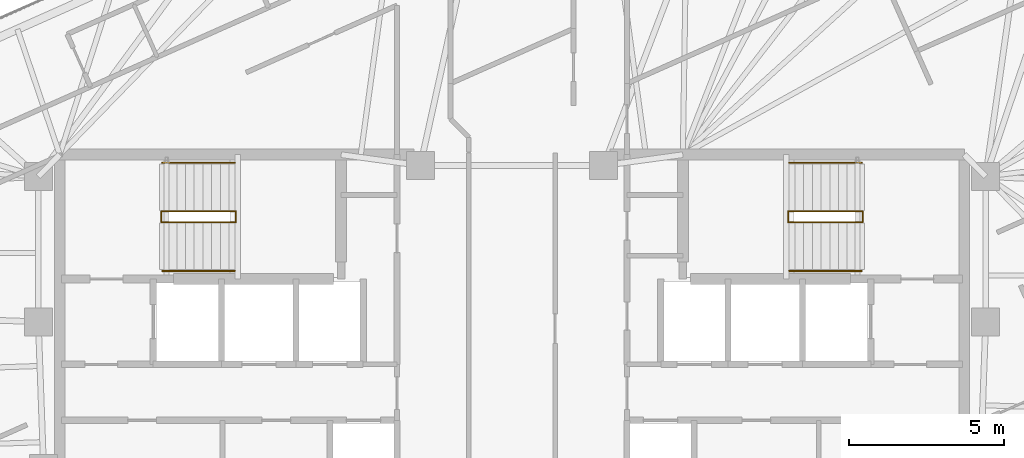
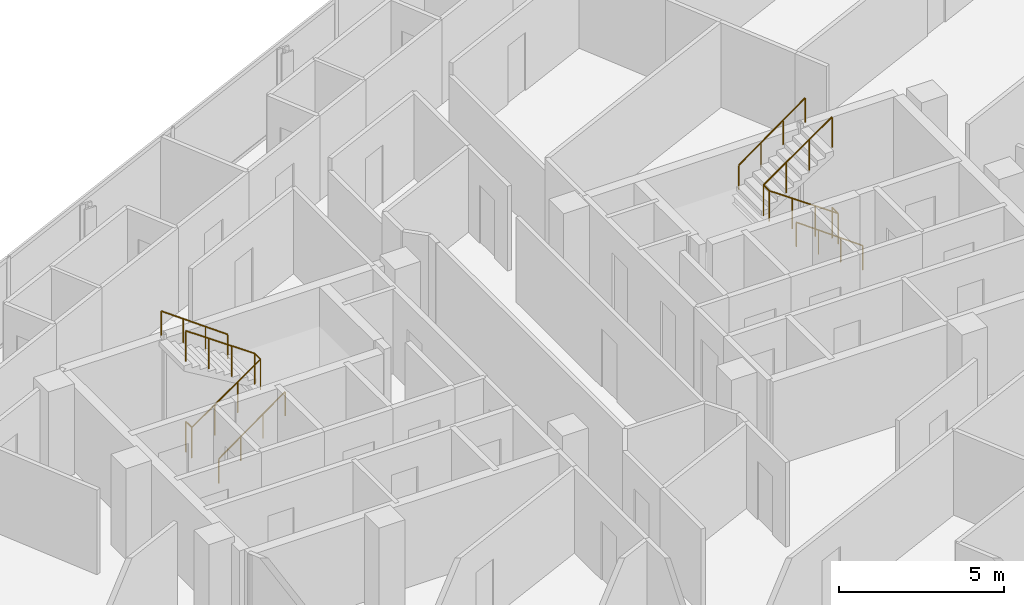
# One storey, part 19 of 19: 6 railings.
"""IFC4 building model written with IfcOpenShell, lengths in metres."""

import ifcopenshell
import ifcopenshell.guid

model = None  # the IFC model being written
_history = None  # IfcOwnerHistory: only IFC2X3 demands one
_inside = {}  # id of a spatial element -> (the spatial element, [elements in it])
_under = {}  # id of a project, library or spatial element -> (it, [spatial elements below it])
_declared = {}  # id of a project -> (the project, [libraries it declares])
_typed = {}  # id of a type object -> (the type object, [elements of that type])
_made_of = {}  # id of a material, layer set ... -> (it, [elements and type objects made of it])


def new_model(schema):
    """Start an empty IFC model of exactly this schema.

    Asked for "IFC4X3", IfcOpenShell would pick the latest addendum, in which some entities
    have other attributes; the version numbers below select the first issue.
    IFC2X3 requires an IfcOwnerHistory on every rooted entity: one is made here for all.
    """
    global model, _history
    if schema == "IFC4X3":
        model = ifcopenshell.file(schema_version=(4, 3, 0, 0))
    else:
        model = ifcopenshell.file(schema=schema)
    _inside.clear()
    _under.clear()
    _declared.clear()
    _typed.clear()
    _made_of.clear()
    _history = None
    if model.schema == "IFC2X3":
        org = make("IfcOrganization", Name="unknown")
        user = make(
            "IfcPersonAndOrganization",
            ThePerson=make("IfcPerson", FamilyName="unknown"),
            TheOrganization=org,
        )
        app = make(
            "IfcApplication",
            ApplicationDeveloper=org,
            Version="unknown",
            ApplicationFullName="unknown",
            ApplicationIdentifier="unknown",
        )
        _history = make(
            "IfcOwnerHistory",
            OwningUser=user,
            OwningApplication=app,
            ChangeAction="ADDED",
            CreationDate=0,
        )
    return model


def make(cls, **values):
    """One entity of the class cls with the attributes given. An attribute that is None is left unset."""
    return model.create_entity(
        cls, **{name: value for name, value in values.items() if value is not None}
    )


def rooted(cls, **values):
    """An entity with a GlobalId (a new one), such as an element, a storey or a relation."""
    return make(cls, GlobalId=ifcopenshell.guid.new(), OwnerHistory=_history, **values)


def si_unit(unit_type, name, prefix=None):
    """IfcSIUnit, for example si_unit("LENGTHUNIT", "METRE", prefix="MILLI")."""
    return make("IfcSIUnit", UnitType=unit_type, Prefix=prefix, Name=name)


def assignment(units):
    """IfcUnitAssignment: the units of a project."""
    return None if units is None else make("IfcUnitAssignment", Units=units)


def point(xyz):
    """IfcCartesianPoint."""
    return None if xyz is None else make("IfcCartesianPoint", Coordinates=xyz)


def direction(xyz):
    """IfcDirection."""
    return None if xyz is None else make("IfcDirection", DirectionRatios=xyz)


def frame(location, z_axis=None, x_axis=None):
    """IfcAxis2Placement3D, a coordinate frame: its origin and axes. An axis left out is left unset."""
    return make(
        "IfcAxis2Placement3D",
        Location=point(location),
        Axis=direction(z_axis),
        RefDirection=direction(x_axis),
    )


def frame_2d(location, x_axis=None):
    """IfcAxis2Placement2D, a coordinate frame in the plane: its origin and x axis."""
    return make(
        "IfcAxis2Placement2D", Location=point(location), RefDirection=direction(x_axis)
    )


def origin():
    """The frame at (0, 0, 0) with its axes left unset."""
    return frame((0.0, 0.0, 0.0))


def origin_2d():
    """The frame at (0, 0) in the plane with its x axis left unset."""
    return frame_2d((0.0, 0.0))


def place(relative_to, where):
    """IfcLocalPlacement: puts the frame where relative to a parent placement (None: the world)."""
    return make(
        "IfcLocalPlacement", PlacementRelTo=relative_to, RelativePlacement=where
    )


def context(
    kind, dimensions, precision=None, world=None, true_north=None, identifier=None
):
    """IfcGeometricRepresentationContext, for example the 3D "Model" context."""
    return make(
        "IfcGeometricRepresentationContext",
        ContextIdentifier=identifier,
        ContextType=kind,
        CoordinateSpaceDimension=dimensions,
        Precision=precision,
        WorldCoordinateSystem=world,
        TrueNorth=true_north,
    )


def subcontext(parent, identifier, kind, view, scale=None):
    """IfcGeometricRepresentationSubContext, for example "Body" below "Model"."""
    return make(
        "IfcGeometricRepresentationSubContext",
        ContextIdentifier=identifier,
        ContextType=kind,
        ParentContext=parent,
        TargetScale=scale,
        TargetView=view,
    )


def project(units=None, contexts=None):
    """IfcProject with its units and contexts."""
    return rooted(
        "IfcProject",
        Name="project",
        RepresentationContexts=contexts,
        UnitsInContext=assignment(units),
    )


def spatial(cls, under=None, at=None, **own):
    """A site, building, storey or space (cls), placed at a placement, below another one or the project."""
    s = rooted(cls, ObjectPlacement=at, **own)
    if under is not None:
        _under.setdefault(under.id(), (under, []))[1].append(s)
    return s


def profile(cls, at=None, kind="AREA", **sizes):
    """A parametric profile (cls). Its sizes go by their IFC names, for example OverallWidth=200.0."""
    return make(cls, ProfileType=kind, Position=at, **sizes)


def circle(**sizes):
    """IfcCircleProfileDef."""
    return profile("IfcCircleProfileDef", **sizes)


def extrude(swept, where, along, depth):
    """IfcExtrudedAreaSolid: the profile swept, set in the frame where, extruded along a direction by depth."""
    return make(
        "IfcExtrudedAreaSolid",
        SweptArea=swept,
        Position=where,
        ExtrudedDirection=direction(along),
        Depth=depth,
    )


def shape(context_of_items, identifier, shape_type, items):
    """IfcShapeRepresentation: the items that make up one representation, for example the "Body"."""
    return make(
        "IfcShapeRepresentation",
        ContextOfItems=context_of_items,
        RepresentationIdentifier=identifier,
        RepresentationType=shape_type,
        Items=items,
    )


def material(Name=None, Category=None):
    """IfcMaterial."""
    return make("IfcMaterial", Name=Name, Category=Category)


def made_of(thing, what):
    """Note that an element or type object is made of a material, layer set ...; save() writes the relation."""
    if what is not None:
        _made_of.setdefault(what.id(), (what, []))[1].append(thing)
    return thing


def type_object(cls, material=None, **own):
    """A type object (cls), such as IfcWallType, which elements share."""
    return made_of(rooted(cls, **own), material)


def element(
    cls,
    number,
    at=None,
    inside=None,
    cuts=None,
    type_object=None,
    material=None,
    context=None,
    identifier="Body",
    shape_type=None,
    held_by="IfcProductDefinitionShape",
    body=None,
    shapes=None,
    **own,
):
    """One element of the class cls, such as IfcWall. Its Tag is "e" and its number.

    at: its placement. inside: the storey or other place that contains it. cuts: it is an
    opening in that element (IfcRelVoidsElement). A single representation is given by context,
    identifier, shape_type and body (its items); several are given by shapes. held_by: the class
    of the entity that holds the representations. save() writes the other relations.
    """
    e = rooted(cls, Tag="e%d" % number, ObjectPlacement=at, **own)
    if body is not None:
        shapes = [shape(context, identifier, shape_type, body)]
    if shapes is not None:
        e.Representation = make(held_by, Representations=shapes)
    if inside is not None:
        _inside.setdefault(inside.id(), (inside, []))[1].append(e)
    if cuts is not None:
        rooted(
            "IfcRelVoidsElement", RelatingBuildingElement=cuts, RelatedOpeningElement=e
        )
    if type_object is not None:
        _typed.setdefault(type_object.id(), (type_object, []))[1].append(e)
    return made_of(e, material)


def aggregate(whole, parts):
    """IfcRelAggregates: a whole, such as a stair, and the parts it consists of."""
    return rooted("IfcRelAggregates", RelatingObject=whole, RelatedObjects=parts)


def save(model, path):
    """Write the relations noted so far, then the file.

    IfcRelAggregates (storeys below a building ...), IfcRelContainedInSpatialStructure (elements
    in a storey), IfcRelDefinesByType, IfcRelAssociatesMaterial and IfcRelDeclares: one each for
    every whole, place, type object, material and project.
    """
    for whole, parts in _under.values():
        aggregate(whole, parts)
    for where, things in _inside.values():
        rooted(
            "IfcRelContainedInSpatialStructure",
            RelatedElements=things,
            RelatingStructure=where,
        )
    for kind, things in _typed.values():
        rooted("IfcRelDefinesByType", RelatedObjects=things, RelatingType=kind)
    for what, things in _made_of.values():
        rooted("IfcRelAssociatesMaterial", RelatedObjects=things, RelatingMaterial=what)
    for by, libraries in _declared.values():
        rooted("IfcRelDeclares", RelatingContext=by, RelatedDefinitions=libraries)
    model.write(path)


model = new_model("IFC4")

# Units and contexts
model_context = context("Model", 3, precision=1e-05, world=origin(), true_north=direction((0.0, 1.0)))
body_context = subcontext(model_context, "Body", "Model", "MODEL_VIEW")
ifc_project = project(units=[si_unit("LENGTHUNIT", "METRE"), si_unit("AREAUNIT", "SQUARE_METRE"), si_unit("VOLUMEUNIT", "CUBIC_METRE"), si_unit("PLANEANGLEUNIT", "RADIAN"), si_unit("MASSUNIT", "GRAM", prefix="KILO")], contexts=[model_context])

# Site, building, storey
site_placement = place(None, origin())
site = spatial("IfcSite", under=ifc_project, at=site_placement, CompositionType="ELEMENT")
building_placement = place(site_placement, origin())
building = spatial("IfcBuilding", under=site, at=building_placement, Name="Menara Jurai Vektor", CompositionType="ELEMENT")
storey_placement = place(building_placement, frame((0.0, 0.0, 291.949951171875)))
storey = spatial("IfcBuildingStorey", under=building, at=storey_placement, Name="L78", CompositionType="ELEMENT", Elevation=291.949951171875)

# Railings
ifc_material_1 = material(Name="Painted Galvanised Steel Balustrade", Category="steel")
railing_type_1 = type_object("IfcRailingType", Name="RAIL-STAIR-GUARD", PredefinedType="GUARDRAIL", material=ifc_material_1)
railing_1_placement = place(storey_placement, frame((-11.2900390625, 3.780029296875, 0.0)))
element("IfcRailing", 1, at=railing_1_placement, inside=storey, type_object=railing_type_1, Name="ST1 Stair Guardrail 1 L78", PredefinedType="GUARDRAIL", context=body_context, shape_type="SweptSolid", body=[
    extrude(circle(Radius=0.02392578125, at=origin_2d()), frame((0.0, 0.0, 1.1259765625), z_axis=(0.0, -1.0, 0.0), x_axis=(1.0, 0.0, 0.0)), (0.0, 0.0, 1.0), 0.360107421875),
    extrude(circle(Radius=0.02392578125, at=origin_2d()), frame((0.0, -0.360107421875, 1.1259765625), z_axis=(0.820042287322, 0.0, 0.572302932898), x_axis=(0.0, 1.0, 0.0)), (0.0, 0.0, 1.0), 2.9267578125),
    extrude(circle(Radius=0.02392578125, at=origin_2d()), frame((2.400146484375, -0.360107421875, 2.80078125), z_axis=(0.0, 1.0, 0.0), x_axis=(-1.0, 0.0, 0.0)), (0.0, 0.0, 1.0), 0.360107421875),
    extrude(circle(Radius=0.02392578125, at=origin_2d()), frame((2.400146484375, 0.0, 2.80078125), z_axis=(-0.820042287322, 0.0, 0.572302932898), x_axis=(0.0, -1.0, 0.0)), (0.0, 0.0, 1.0), 2.9267578125),
    extrude(circle(Radius=0.02099609375, at=origin_2d()), origin(), (0.0, 0.0, 1.0), 1.101806640625),
    extrude(circle(Radius=0.02099609375, at=origin_2d()), frame((0.0, -0.360107421875, 0.0)), (0.0, 0.0, 1.0), 1.101806640625),
    extrude(circle(Radius=0.02099609375, at=origin_2d()), frame((0.800048828125, -0.360107421875, 0.558349609375)), (0.0, 0.0, 1.0), 1.101806640625),
    extrude(circle(Radius=0.02099609375, at=origin_2d()), frame((1.60009765625, -0.360107421875, 1.11669921875)), (0.0, 0.0, 1.0), 1.101806640625),
    extrude(circle(Radius=0.02099609375, at=origin_2d()), frame((2.400146484375, -0.360107421875, 1.675048828125)), (0.0, 0.0, 1.0), 1.101806640625),
    extrude(circle(Radius=0.02099609375, at=origin_2d()), frame((2.400146484375, 0.0, 1.675048828125)), (0.0, 0.0, 1.0), 1.101806640625),
    extrude(circle(Radius=0.02099609375, at=origin_2d()), frame((1.60009765625, 0.0, 2.2333984375)), (0.0, 0.0, 1.0), 1.101806640625),
    extrude(circle(Radius=0.02099609375, at=origin_2d()), frame((0.800048828125, 0.0, 2.791748046875)), (0.0, 0.0, 1.0), 1.101806640625),
    extrude(circle(Radius=0.02099609375, at=origin_2d()), frame((0.0, 0.0, 3.35009765625)), (0.0, 0.0, 1.0), 1.101806640625),
])
railing_2_placement = place(storey_placement, frame((11.2900390625, 3.780029296875, 0.0)))
element("IfcRailing", 2, at=railing_2_placement, inside=storey, type_object=railing_type_1, Name="ST2 Stair Guardrail 1 L78", PredefinedType="GUARDRAIL", context=body_context, shape_type="SweptSolid", body=[
    extrude(circle(Radius=0.02392578125, at=origin_2d()), frame((0.0, 0.0, 1.1259765625), z_axis=(0.0, -1.0, 0.0), x_axis=(1.0, 0.0, 0.0)), (0.0, 0.0, 1.0), 0.360107421875),
    extrude(circle(Radius=0.02392578125, at=origin_2d()), frame((0.0, -0.360107421875, 1.1259765625), z_axis=(-0.820042287322, 0.0, 0.572302932898), x_axis=(0.0, -1.0, 0.0)), (0.0, 0.0, 1.0), 2.9267578125),
    extrude(circle(Radius=0.02392578125, at=origin_2d()), frame((-2.400146484375, -0.360107421875, 2.80078125), z_axis=(0.0, 1.0, 0.0), x_axis=(-1.0, 0.0, 0.0)), (0.0, 0.0, 1.0), 0.360107421875),
    extrude(circle(Radius=0.02392578125, at=origin_2d()), frame((-2.400146484375, 0.0, 2.80078125), z_axis=(0.820042287322, 0.0, 0.572302932898), x_axis=(0.0, 1.0, 0.0)), (0.0, 0.0, 1.0), 2.9267578125),
    extrude(circle(Radius=0.02099609375, at=origin_2d()), origin(), (0.0, 0.0, 1.0), 1.101806640625),
    extrude(circle(Radius=0.02099609375, at=origin_2d()), frame((0.0, -0.360107421875, 0.0)), (0.0, 0.0, 1.0), 1.101806640625),
    extrude(circle(Radius=0.02099609375, at=origin_2d()), frame((-0.800048828125, -0.360107421875, 0.558349609375)), (0.0, 0.0, 1.0), 1.101806640625),
    extrude(circle(Radius=0.02099609375, at=origin_2d()), frame((-1.60009765625, -0.360107421875, 1.11669921875)), (0.0, 0.0, 1.0), 1.101806640625),
    extrude(circle(Radius=0.02099609375, at=origin_2d()), frame((-2.400146484375, -0.360107421875, 1.675048828125)), (0.0, 0.0, 1.0), 1.101806640625),
    extrude(circle(Radius=0.02099609375, at=origin_2d()), frame((-2.400146484375, 0.0, 1.675048828125)), (0.0, 0.0, 1.0), 1.101806640625),
    extrude(circle(Radius=0.02099609375, at=origin_2d()), frame((-1.60009765625, 0.0, 2.2333984375)), (0.0, 0.0, 1.0), 1.101806640625),
    extrude(circle(Radius=0.02099609375, at=origin_2d()), frame((-0.800048828125, 0.0, 2.791748046875)), (0.0, 0.0, 1.0), 1.101806640625),
    extrude(circle(Radius=0.02099609375, at=origin_2d()), frame((0.0, 0.0, 3.35009765625)), (0.0, 0.0, 1.0), 1.101806640625),
])
ifc_material_2 = material(Name="Brushed Stainless Steel Handrail", Category="steel")
railing_type_2 = type_object("IfcRailingType", Name="RAIL-STAIR-HAND", PredefinedType="HANDRAIL", material=ifc_material_2)
railing_3_placement = place(storey_placement, frame((-11.25, 1.860107421875, 0.0)))
element("IfcRailing", 3, at=railing_3_placement, inside=storey, type_object=railing_type_2, Name="ST1 Stair Handrail 1 L78", PredefinedType="HANDRAIL", context=body_context, shape_type="SweptSolid", body=[
    extrude(circle(Radius=0.02392578125, at=origin_2d()), frame((0.0, 0.0, 0.89599609375), z_axis=(0.810771458067, 0.0, 0.585362830032), x_axis=(0.0, 1.0, 0.0)), (0.0, 0.0, 1.0), 2.861572265625),
    extrude(circle(Radius=0.02099609375, at=origin_2d()), origin(), (0.0, 0.0, 1.0), 0.871826171875),
    extrude(circle(Radius=0.02099609375, at=origin_2d()), frame((0.7734375, 0.0, 0.558349609375)), (0.0, 0.0, 1.0), 0.871826171875),
    extrude(circle(Radius=0.02099609375, at=origin_2d()), frame((1.546630859375, 0.0, 1.11669921875)), (0.0, 0.0, 1.0), 0.871826171875),
    extrude(circle(Radius=0.02099609375, at=origin_2d()), frame((2.320068359375, 0.0, 1.675048828125)), (0.0, 0.0, 1.0), 0.871826171875),
])
for number, where, name in (
    (4, (-8.929931640625, 5.340087890625, 1.675048828125), "ST1 Stair Handrail 2 L78"),
    (5, (11.25, 1.860107421875, 0.0), "ST2 Stair Handrail 1 L78"),
):
    element("IfcRailing", number, at=place(storey_placement, frame(where)), inside=storey, type_object=railing_type_2, Name=name, PredefinedType="HANDRAIL", context=body_context, shape_type="SweptSolid", body=[
        extrude(circle(Radius=0.02392578125, at=origin_2d()), frame((0.0, 0.0, 0.89599609375), z_axis=(-0.810771458067, 0.0, 0.585362830032), x_axis=(0.0, -1.0, 0.0)), (0.0, 0.0, 1.0), 2.861572265625),
        extrude(circle(Radius=0.02099609375, at=origin_2d()), origin(), (0.0, 0.0, 1.0), 0.871826171875),
        extrude(circle(Radius=0.02099609375, at=origin_2d()), frame((-0.7734375, 0.0, 0.558349609375)), (0.0, 0.0, 1.0), 0.871826171875),
        extrude(circle(Radius=0.02099609375, at=origin_2d()), frame((-1.546630859375, 0.0, 1.11669921875)), (0.0, 0.0, 1.0), 0.871826171875),
        extrude(circle(Radius=0.02099609375, at=origin_2d()), frame((-2.320068359375, 0.0, 1.675048828125)), (0.0, 0.0, 1.0), 0.871826171875),
    ])
railing_4_placement = place(storey_placement, frame((8.929931640625, 5.340087890625, 1.675048828125)))
element("IfcRailing", 6, at=railing_4_placement, inside=storey, type_object=railing_type_2, Name="ST2 Stair Handrail 2 L78", PredefinedType="HANDRAIL", context=body_context, shape_type="SweptSolid", body=[
    extrude(circle(Radius=0.02392578125, at=origin_2d()), frame((0.0, 0.0, 0.89599609375), z_axis=(0.810771458067, 0.0, 0.585362830032), x_axis=(0.0, 1.0, 0.0)), (0.0, 0.0, 1.0), 2.861572265625),
    extrude(circle(Radius=0.02099609375, at=origin_2d()), origin(), (0.0, 0.0, 1.0), 0.871826171875),
    extrude(circle(Radius=0.02099609375, at=origin_2d()), frame((0.7734375, 0.0, 0.558349609375)), (0.0, 0.0, 1.0), 0.871826171875),
    extrude(circle(Radius=0.02099609375, at=origin_2d()), frame((1.546630859375, 0.0, 1.11669921875)), (0.0, 0.0, 1.0), 0.871826171875),
    extrude(circle(Radius=0.02099609375, at=origin_2d()), frame((2.320068359375, 0.0, 1.675048828125)), (0.0, 0.0, 1.0), 0.871826171875),
])

save(model, "model.ifc")
